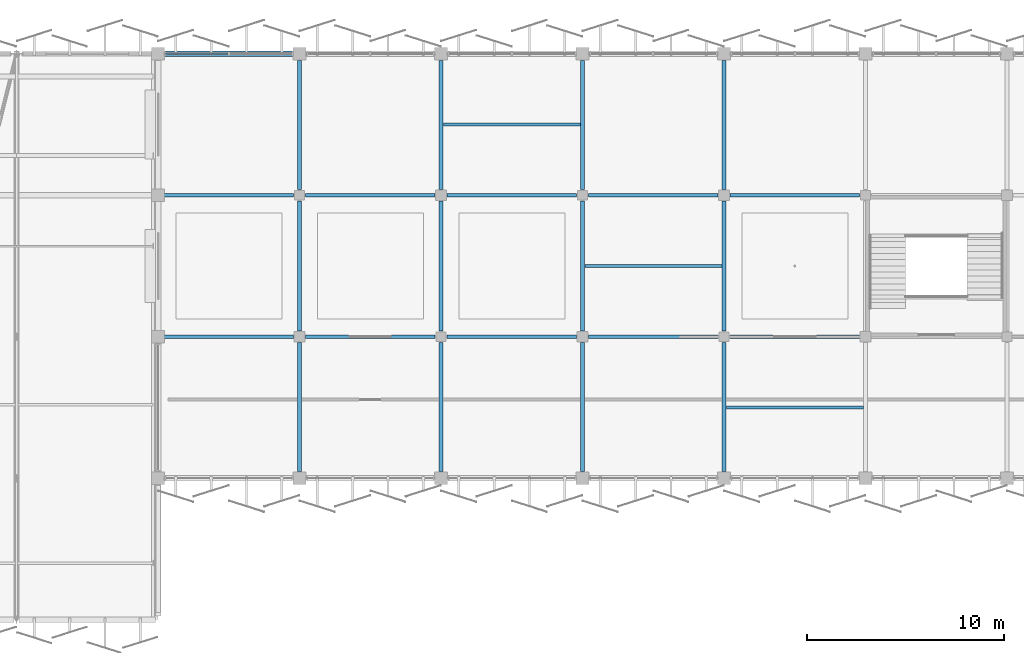
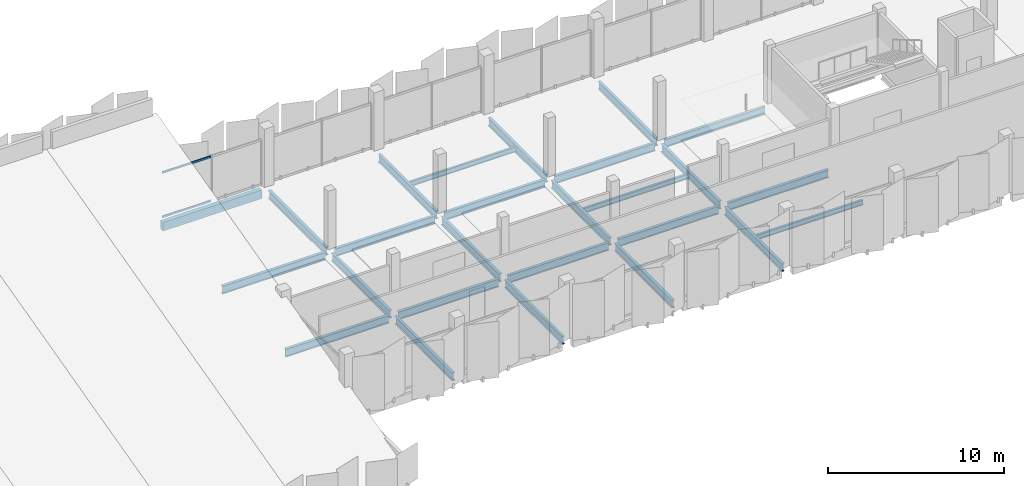
# One storey, part 38 of 108: 26 beams, 2 members, 1 element without a shape of its own.
"""IFC4 building model written with IfcOpenShell, lengths in metres."""

from ifc_helpers import new_model, si_unit, direction, frame, origin, origin_2d, place, context, subcontext, project, spatial, rectangle, hollow_rectangle, i_section, extrude, material, layer, layer_set, material_profile, profile_set, type_object, element, aggregate, save


model = new_model("IFC4")

# Units and contexts
model_context = context("Model", 3, precision=1e-05, world=origin(), true_north=direction((0.0, 1.0)))
body_context = subcontext(model_context, "Body", "Model", "MODEL_VIEW")
ifc_project = project(units=[si_unit("LENGTHUNIT", "METRE"), si_unit("AREAUNIT", "SQUARE_METRE"), si_unit("VOLUMEUNIT", "CUBIC_METRE"), si_unit("PLANEANGLEUNIT", "RADIAN"), si_unit("MASSUNIT", "GRAM", prefix="KILO")], contexts=[model_context])

# Site, building, storey
site_placement = place(None, origin())
site = spatial("IfcSite", under=ifc_project, at=site_placement, CompositionType="ELEMENT")
building_placement = place(site_placement, origin())
building = spatial("IfcBuilding", under=site, at=building_placement, Name="Kangsadwip Square Police Headquarters", CompositionType="ELEMENT")
storey_placement = place(building_placement, frame((0.0, 0.0, 9.449951171875)))
storey = spatial("IfcBuildingStorey", under=building, at=storey_placement, Name="L02", CompositionType="ELEMENT", Elevation=9.449951171875)

# Curtain wall, members
ifc_material_1 = material(Name="Thermally broken anodised aluminium AW-6063-T6", Category="aluminium")
ifc_layer = layer(ifc_material_1, 0.159912109375)
ifc_layer_set = layer_set([ifc_layer], Name="Thermally broken anodised aluminium AW-6063-T6")
curtain_wall_type = type_object("IfcCurtainWallType", Name="UnitisedCw6560x3200", PredefinedType="NOTDEFINED", material=ifc_layer_set)
curtain_wall_placement = place(storey_placement, origin())
curtain_wall = element("IfcCurtainWall", 1, at=curtain_wall_placement, inside=storey, type_object=curtain_wall_type, Name="Curtain Wall CW-L02-0939-1152", PredefinedType="NOTDEFINED")
ifc_material_2 = material(Name="Thermally broken anodised aluminium AW-6063-T6", Category="aluminium")
ifc_material_profile_1 = material_profile(ifc_material_2, hollow_rectangle(XDim=0.06494140625, YDim=0.1298828125, WallThickness=0.00390625, at=origin_2d()), Name="CWT 130X65X4")
ifc_profile_set_1 = profile_set([ifc_material_profile_1], Name="Thermally broken anodised aluminium AW-6063-T6")
member_type = type_object("IfcMemberType", Name="CwTransom140x60", PredefinedType="USERDEFINED", material=ifc_profile_set_1)
member_1_placement = place(storey_placement, frame((93.985107421875, 115.199951171875, 0.06494140625), z_axis=(1.0, 0.0, 0.0), x_axis=(0.0, 1.0, 0.0)))
member_1 = element("IfcMember", 2, at=member_1_placement, type_object=member_type, Name="CW-20 transom 1.1", ObjectType="TRANSOM", PredefinedType="USERDEFINED", context=body_context, shape_type="SweptSolid", body=[
    extrude(hollow_rectangle(XDim=0.06494140625, YDim=0.1298828125, WallThickness=0.00390625, at=origin_2d()), origin(), (0.0, 0.0, 1.0), 3.182373046875),
])
member_2_placement = place(storey_placement, frame((93.985107421875, 115.199951171875, 3.135009765625), z_axis=(1.0, 0.0, 0.0), x_axis=(0.0, 1.0, 0.0)))
member_2 = element("IfcMember", 3, at=member_2_placement, type_object=member_type, Name="CW-20 transom 1.2", ObjectType="TRANSOM", PredefinedType="USERDEFINED", context=body_context, shape_type="SweptSolid", body=[
    extrude(hollow_rectangle(XDim=0.06494140625, YDim=0.1298828125, WallThickness=0.00390625, at=origin_2d()), origin(), (0.0, 0.0, 1.0), 3.182373046875),
])
aggregate(curtain_wall, [member_1, member_2])

# Beams
ifc_material_3 = material(Name="Concrete M40 (40 MPa)", Category="concrete")
ifc_material_profile_2 = material_profile(ifc_material_3, rectangle(XDim=0.280029296875, YDim=0.60009765625, at=origin_2d()), Name="RC SPN 600X280")
ifc_profile_set_2 = profile_set([ifc_material_profile_2], Name="Concrete M40 (40 MPa)")
beam_type_1 = type_object("IfcBeamType", Name="RcSpandrel600x280", PredefinedType="SPANDREL", material=ifc_profile_set_2)
beam_1_placement = place(storey_placement, frame((93.949951171875, 115.199951171875, -0.5400390625), z_axis=(1.0, 0.0, 0.0), x_axis=(0.0, 1.0, 0.0)))
element("IfcBeam", 4, at=beam_1_placement, inside=storey, type_object=beam_type_1, Name="Beam BM-L02-X-13-16", PredefinedType="SPANDREL", context=body_context, shape_type="SweptSolid", body=[
    extrude(rectangle(XDim=0.280029296875, YDim=0.60009765625, at=origin_2d()), origin(), (0.0, 0.0, 1.0), 6.5),
])
ifc_material_4 = material(Name="Structural steel IS 2062 E350 (Grade 350, 350 MPa)", Category="steel")
ifc_material_profile_3 = material_profile(ifc_material_4, i_section(OverallWidth=0.18994140625, OverallDepth=0.550048828125, WebThickness=0.01123046875, FlangeThickness=0.019287109375, at=origin_2d()), Name="ISMB 550")
ifc_profile_set_3 = profile_set([ifc_material_profile_3], Name="Structural steel IS 2062 E350 (Grade 350, 350 MPa)")
beam_type_2 = type_object("IfcBeamType", Name="SteelBeamIsmb550", PredefinedType="BEAM", material=ifc_profile_set_3)
beam_2_placement = place(storey_placement, frame((93.72509765625, 100.800048828125, -0.514892578125), z_axis=(1.0, 0.0, 0.0), x_axis=(0.0, 1.0, 0.0)))
element("IfcBeam", 5, at=beam_2_placement, inside=storey, type_object=beam_type_2, Name="Beam BM-L02-X-13-14", PredefinedType="BEAM", context=body_context, shape_type="SweptSolid", body=[
    extrude(i_section(OverallWidth=0.18994140625, OverallDepth=0.550048828125, WebThickness=0.01123046875, FlangeThickness=0.019287109375, at=origin_2d()), origin(), (0.0, 0.0, 1.0), 6.77490234375),
])
for number, where, z_axis, x_axis, name in (
    (6, (101.10009765625, 100.800048828125, -0.514892578125), (1.0, 0.0, 0.0), (0.0, 1.0, 0.0), "Beam BM-L02-X-14-14"),
    (7, (108.300048828125, 100.800048828125, -0.514892578125), (1.0, 0.0, 0.0), (0.0, 1.0, 0.0), "Beam BM-L02-X-15-14"),
):
    element("IfcBeam", number, at=place(storey_placement, frame(where, z_axis=z_axis, x_axis=x_axis)), inside=storey, type_object=beam_type_2, Name=name, PredefinedType="BEAM", context=body_context, shape_type="SweptSolid", body=[
        extrude(i_section(OverallWidth=0.18994140625, OverallDepth=0.550048828125, WebThickness=0.01123046875, FlangeThickness=0.019287109375, at=origin_2d()), origin(), (0.0, 0.0, 1.0), 6.599853515625),
    ])
for number, where, z_axis, x_axis, name in (
    (8, (115.5, 100.800048828125, -0.514892578125), (1.0, 0.0, 0.0), (0.0, 1.0, 0.0), "Beam BM-L02-X-16-14"),
    (9, (122.699951171875, 100.800048828125, -0.514892578125), (1.0, 0.0, 0.0), (0.0, 1.0, 0.0), "Beam BM-L02-X-17-14"),
):
    element("IfcBeam", number, at=place(storey_placement, frame(where, z_axis=z_axis, x_axis=x_axis)), inside=storey, type_object=beam_type_2, Name=name, PredefinedType="BEAM", context=body_context, shape_type="SweptSolid", body=[
        extrude(i_section(OverallWidth=0.18994140625, OverallDepth=0.550048828125, WebThickness=0.01123046875, FlangeThickness=0.019287109375, at=origin_2d()), origin(), (0.0, 0.0, 1.0), 6.60009765625),
    ])
beam_3_placement = place(storey_placement, frame((93.72509765625, 108.0, -0.514892578125), z_axis=(1.0, 0.0, 0.0), x_axis=(0.0, 1.0, 0.0)))
element("IfcBeam", 10, at=beam_3_placement, inside=storey, type_object=beam_type_2, Name="Beam BM-L02-X-13-15", PredefinedType="BEAM", context=body_context, shape_type="SweptSolid", body=[
    extrude(i_section(OverallWidth=0.18994140625, OverallDepth=0.550048828125, WebThickness=0.01123046875, FlangeThickness=0.019287109375, at=origin_2d()), origin(), (0.0, 0.0, 1.0), 6.77490234375),
])
for number, where, z_axis, x_axis, name in (
    (11, (101.10009765625, 108.0, -0.514892578125), (1.0, 0.0, 0.0), (0.0, 1.0, 0.0), "Beam BM-L02-X-14-15"),
    (12, (108.300048828125, 108.0, -0.514892578125), (1.0, 0.0, 0.0), (0.0, 1.0, 0.0), "Beam BM-L02-X-15-15"),
):
    element("IfcBeam", number, at=place(storey_placement, frame(where, z_axis=z_axis, x_axis=x_axis)), inside=storey, type_object=beam_type_2, Name=name, PredefinedType="BEAM", context=body_context, shape_type="SweptSolid", body=[
        extrude(i_section(OverallWidth=0.18994140625, OverallDepth=0.550048828125, WebThickness=0.01123046875, FlangeThickness=0.019287109375, at=origin_2d()), origin(), (0.0, 0.0, 1.0), 6.599853515625),
    ])
for number, where, z_axis, x_axis, name in (
    (13, (115.5, 108.0, -0.514892578125), (1.0, 0.0, 0.0), (0.0, 1.0, 0.0), "Beam BM-L02-X-16-15"),
    (14, (122.699951171875, 108.0, -0.514892578125), (1.0, 0.0, 0.0), (0.0, 1.0, 0.0), "Beam BM-L02-X-17-15"),
):
    element("IfcBeam", number, at=place(storey_placement, frame(where, z_axis=z_axis, x_axis=x_axis)), inside=storey, type_object=beam_type_2, Name=name, PredefinedType="BEAM", context=body_context, shape_type="SweptSolid", body=[
        extrude(i_section(OverallWidth=0.18994140625, OverallDepth=0.550048828125, WebThickness=0.01123046875, FlangeThickness=0.019287109375, at=origin_2d()), origin(), (0.0, 0.0, 1.0), 6.60009765625),
    ])
beam_4_placement = place(storey_placement, frame((100.800048828125, 93.949951171875, -0.514892578125), z_axis=(0.0, 1.0, 0.0), x_axis=(-1.0, 0.0, 0.0)))
element("IfcBeam", 15, at=beam_4_placement, inside=storey, type_object=beam_type_2, Name="Beam BM-L02-Y-14-13", PredefinedType="BEAM", context=body_context, shape_type="SweptSolid", body=[
    extrude(i_section(OverallWidth=0.18994140625, OverallDepth=0.550048828125, WebThickness=0.01123046875, FlangeThickness=0.019287109375, at=origin_2d()), origin(), (0.0, 0.0, 1.0), 6.550048828125),
])
beam_5_placement = place(storey_placement, frame((100.800048828125, 101.10009765625, -0.514892578125), z_axis=(0.0, 1.0, 0.0), x_axis=(-1.0, 0.0, 0.0)))
element("IfcBeam", 16, at=beam_5_placement, inside=storey, type_object=beam_type_2, Name="Beam BM-L02-Y-14-14", PredefinedType="BEAM", context=body_context, shape_type="SweptSolid", body=[
    extrude(i_section(OverallWidth=0.18994140625, OverallDepth=0.550048828125, WebThickness=0.01123046875, FlangeThickness=0.019287109375, at=origin_2d()), origin(), (0.0, 0.0, 1.0), 6.599853515625),
])
for number, where, z_axis, x_axis, name in (
    (17, (100.800048828125, 108.300048828125, -0.514892578125), (0.0, 1.0, 0.0), (-1.0, 0.0, 0.0), "Beam BM-L02-Y-14-15"),
    (18, (108.0, 93.949951171875, -0.514892578125), (0.0, 1.0, 0.0), (-1.0, 0.0, 0.0), "Beam BM-L02-Y-15-13"),
):
    element("IfcBeam", number, at=place(storey_placement, frame(where, z_axis=z_axis, x_axis=x_axis)), inside=storey, type_object=beam_type_2, Name=name, PredefinedType="BEAM", context=body_context, shape_type="SweptSolid", body=[
        extrude(i_section(OverallWidth=0.18994140625, OverallDepth=0.550048828125, WebThickness=0.01123046875, FlangeThickness=0.019287109375, at=origin_2d()), origin(), (0.0, 0.0, 1.0), 6.550048828125),
    ])
beam_6_placement = place(storey_placement, frame((108.0, 101.10009765625, -0.514892578125), z_axis=(0.0, 1.0, 0.0), x_axis=(-1.0, 0.0, 0.0)))
element("IfcBeam", 19, at=beam_6_placement, inside=storey, type_object=beam_type_2, Name="Beam BM-L02-Y-15-14", PredefinedType="BEAM", context=body_context, shape_type="SweptSolid", body=[
    extrude(i_section(OverallWidth=0.18994140625, OverallDepth=0.550048828125, WebThickness=0.01123046875, FlangeThickness=0.019287109375, at=origin_2d()), origin(), (0.0, 0.0, 1.0), 6.599853515625),
])
for number, where, z_axis, x_axis, name in (
    (20, (108.0, 108.300048828125, -0.514892578125), (0.0, 1.0, 0.0), (-1.0, 0.0, 0.0), "Beam BM-L02-Y-15-15"),
    (21, (115.199951171875, 93.949951171875, -0.514892578125), (0.0, 1.0, 0.0), (-1.0, 0.0, 0.0), "Beam BM-L02-Y-16-13"),
):
    element("IfcBeam", number, at=place(storey_placement, frame(where, z_axis=z_axis, x_axis=x_axis)), inside=storey, type_object=beam_type_2, Name=name, PredefinedType="BEAM", context=body_context, shape_type="SweptSolid", body=[
        extrude(i_section(OverallWidth=0.18994140625, OverallDepth=0.550048828125, WebThickness=0.01123046875, FlangeThickness=0.019287109375, at=origin_2d()), origin(), (0.0, 0.0, 1.0), 6.550048828125),
    ])
beam_7_placement = place(storey_placement, frame((115.199951171875, 101.10009765625, -0.514892578125), z_axis=(0.0, 1.0, 0.0), x_axis=(-1.0, 0.0, 0.0)))
element("IfcBeam", 22, at=beam_7_placement, inside=storey, type_object=beam_type_2, Name="Beam BM-L02-Y-16-14", PredefinedType="BEAM", context=body_context, shape_type="SweptSolid", body=[
    extrude(i_section(OverallWidth=0.18994140625, OverallDepth=0.550048828125, WebThickness=0.01123046875, FlangeThickness=0.019287109375, at=origin_2d()), origin(), (0.0, 0.0, 1.0), 6.599853515625),
])
for number, where, z_axis, x_axis, name in (
    (23, (115.199951171875, 108.300048828125, -0.514892578125), (0.0, 1.0, 0.0), (-1.0, 0.0, 0.0), "Beam BM-L02-Y-16-15"),
    (24, (122.39990234375, 93.949951171875, -0.514892578125), (0.0, 1.0, 0.0), (-1.0, 0.0, 0.0), "Beam BM-L02-Y-17-13"),
):
    element("IfcBeam", number, at=place(storey_placement, frame(where, z_axis=z_axis, x_axis=x_axis)), inside=storey, type_object=beam_type_2, Name=name, PredefinedType="BEAM", context=body_context, shape_type="SweptSolid", body=[
        extrude(i_section(OverallWidth=0.18994140625, OverallDepth=0.550048828125, WebThickness=0.01123046875, FlangeThickness=0.019287109375, at=origin_2d()), origin(), (0.0, 0.0, 1.0), 6.550048828125),
    ])
beam_8_placement = place(storey_placement, frame((122.39990234375, 101.10009765625, -0.514892578125), z_axis=(0.0, 1.0, 0.0), x_axis=(-1.0, 0.0, 0.0)))
element("IfcBeam", 25, at=beam_8_placement, inside=storey, type_object=beam_type_2, Name="Beam BM-L02-Y-17-14", PredefinedType="BEAM", context=body_context, shape_type="SweptSolid", body=[
    extrude(i_section(OverallWidth=0.18994140625, OverallDepth=0.550048828125, WebThickness=0.01123046875, FlangeThickness=0.019287109375, at=origin_2d()), origin(), (0.0, 0.0, 1.0), 6.599853515625),
])
beam_9_placement = place(storey_placement, frame((122.39990234375, 108.300048828125, -0.514892578125), z_axis=(0.0, 1.0, 0.0), x_axis=(-1.0, 0.0, 0.0)))
element("IfcBeam", 26, at=beam_9_placement, inside=storey, type_object=beam_type_2, Name="Beam BM-L02-Y-17-15", PredefinedType="BEAM", context=body_context, shape_type="SweptSolid", body=[
    extrude(i_section(OverallWidth=0.18994140625, OverallDepth=0.550048828125, WebThickness=0.01123046875, FlangeThickness=0.019287109375, at=origin_2d()), origin(), (0.0, 0.0, 1.0), 6.550048828125),
])
ifc_material_5 = material(Name="Structural steel IS 2062 E250 (Grade 250, 250 MPa)", Category="steel")
ifc_material_profile_4 = material_profile(ifc_material_5, i_section(OverallWidth=0.139892578125, OverallDepth=0.35009765625, WebThickness=0.008056640625, FlangeThickness=0.01416015625, at=origin_2d()), Name="ISMB 350")
ifc_profile_set_4 = profile_set([ifc_material_profile_4], Name="Structural steel IS 2062 E250 (Grade 250, 250 MPa)")
beam_type_3 = type_object("IfcBeamType", Name="SteelJoistIsmb350", PredefinedType="JOIST", material=ifc_profile_set_4)
for number, where, z_axis, x_axis, name in (
    (27, (108.110107421875, 111.60009765625, -0.4150390625), (1.0, 0.0, 0.0), (0.0, 1.0, 0.0), "Secondary Joist JST-L02-15-15"),
    (28, (115.31005859375, 104.39990234375, -0.4150390625), (1.0, 0.0, 0.0), (0.0, 1.0, 0.0), "Secondary Joist JST-L02-16-14"),
    (29, (122.510009765625, 97.199951171875, -0.4150390625), (1.0, 0.0, 0.0), (0.0, 1.0, 0.0), "Secondary Joist JST-L02-17-13"),
):
    element("IfcBeam", number, at=place(storey_placement, frame(where, z_axis=z_axis, x_axis=x_axis)), inside=storey, type_object=beam_type_3, Name=name, PredefinedType="JOIST", context=body_context, shape_type="SweptSolid", body=[
        extrude(i_section(OverallWidth=0.139892578125, OverallDepth=0.35009765625, WebThickness=0.008056640625, FlangeThickness=0.01416015625, at=origin_2d()), origin(), (0.0, 0.0, 1.0), 6.97998046875),
    ])

save(model, "model.ifc")
